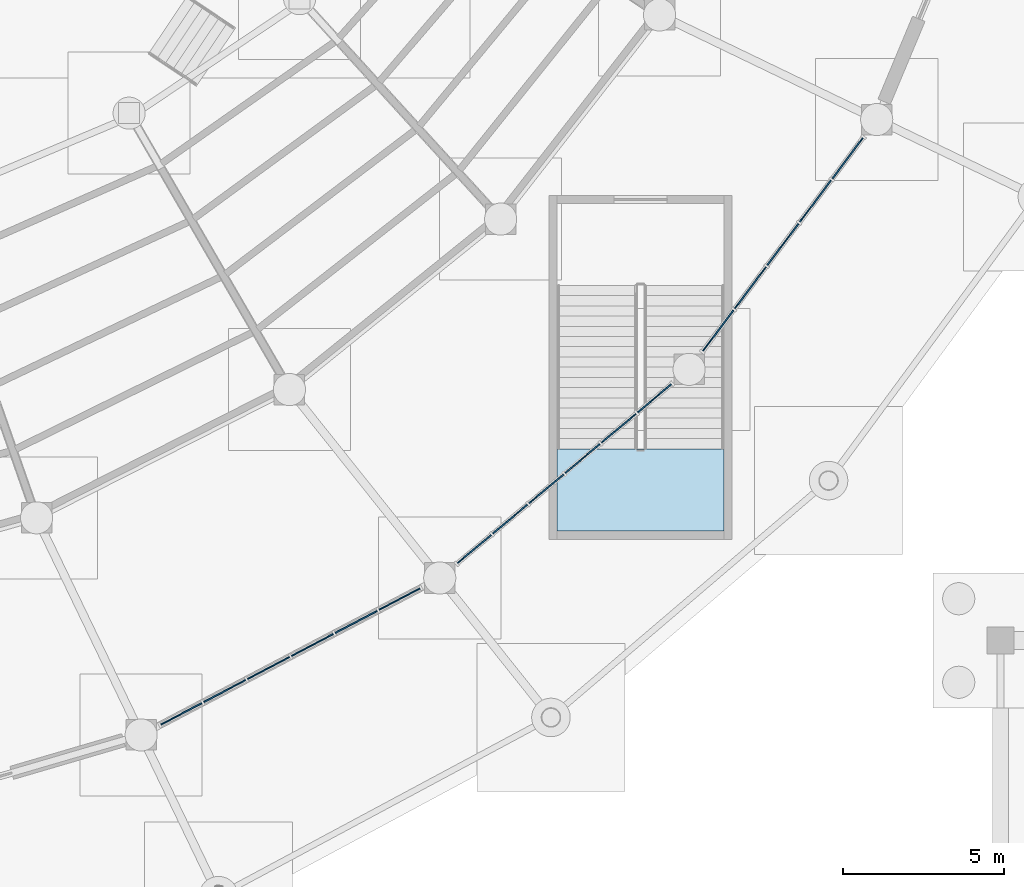
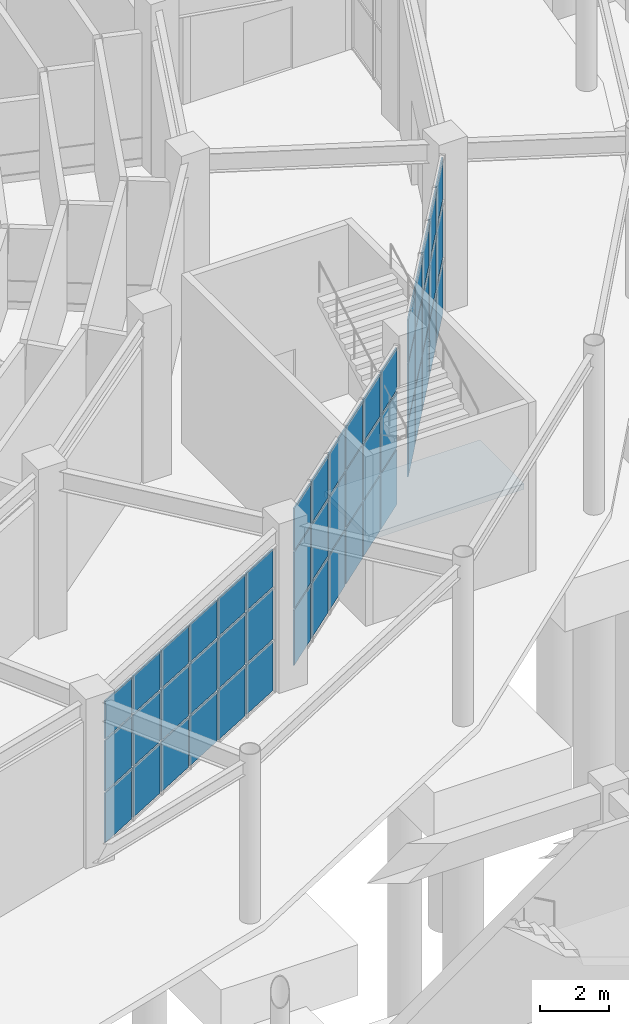
# One storey, part 68 of 121: 51 plates, 1 slab, 4 elements without a shape of their own.
"""IFC4 building model written with IfcOpenShell, lengths in metres."""

from ifc_helpers import new_model, si_unit, direction, frame, origin, origin_2d, place, context, subcontext, project, spatial, polyline, rectangle, outline, extrude, material, layer, layer_set, type_object, element, aggregate, save


model = new_model("IFC4")

# Units and contexts
model_context = context("Model", 3, precision=1e-05, world=origin(), true_north=direction((0.0, 1.0)))
body_context = subcontext(model_context, "Body", "Model", "MODEL_VIEW")
ifc_project = project(units=[si_unit("LENGTHUNIT", "METRE"), si_unit("AREAUNIT", "SQUARE_METRE"), si_unit("VOLUMEUNIT", "CUBIC_METRE"), si_unit("PLANEANGLEUNIT", "RADIAN"), si_unit("MASSUNIT", "GRAM", prefix="KILO")], contexts=[model_context])

# Site, building, storey
site_placement = place(None, origin())
site = spatial("IfcSite", under=ifc_project, at=site_placement, CompositionType="ELEMENT")
building_placement = place(site_placement, origin())
building = spatial("IfcBuilding", under=site, at=building_placement, Name="Cuetzalor Civic Arena", CompositionType="ELEMENT")
storey_placement = place(building_placement, origin())
storey = spatial("IfcBuildingStorey", under=building, at=storey_placement, Name="L00", CompositionType="ELEMENT", Elevation=0.0)

# Curtain wall, plates
ifc_material_1 = material(Name="Anodised dark bronze aluminium and low-E solar glass", Category="aluminium")
curtain_wall_type_1 = type_object("IfcCurtainWallType", Name="UnitisedCW_9250x5150", PredefinedType="USERDEFINED", material=ifc_material_1)
curtain_wall_1_placement = place(storey_placement, origin())
curtain_wall_1 = element("IfcCurtainWall", 1, at=curtain_wall_1_placement, inside=storey, type_object=curtain_wall_type_1, Name="Drum Ground Recessed Concourse Curtain Wall L00-017", ObjectType="UNITISED CURTAIN WALL", PredefinedType="USERDEFINED")
ifc_material_2 = material(Name="Acoustic laminated solar control glass", Category="glass")
ifc_layer_1 = layer(ifc_material_2, 0.0439453125)
ifc_layer_set_1 = layer_set([ifc_layer_1], Name="Acoustic laminated solar control glass")
plate_type = type_object("IfcPlateType", Name="AcousticTripleGlazedPanel_44", PredefinedType="CURTAIN_PANEL", material=ifc_layer_set_1)
plate_1_placement = place(storey_placement, frame((29.30126953125, -32.712158203125, 0.070068359375), z_axis=(0.0, 0.0, 1.0), x_axis=(-0.885118421147, -0.465365856662, 0.0)))
plate_1 = element("IfcPlate", 2, at=plate_1_placement, type_object=plate_type, Name="CW-04 panel 1.1", PredefinedType="CURTAIN_PANEL", context=body_context, shape_type="SweptSolid", body=[
    extrude(rectangle(XDim=1.4365234375, YDim=0.0439453125, at=origin_2d()), origin(), (0.0, 0.0, 1.0), 1.751953125),
])
plate_2_placement = place(storey_placement, frame((29.30126953125, -32.712158203125, 1.89208984375), z_axis=(0.0, 0.0, 1.0), x_axis=(-0.885118421147, -0.465365856662, 0.0)))
plate_2 = element("IfcPlate", 3, at=plate_2_placement, type_object=plate_type, Name="CW-04 panel 1.2", PredefinedType="CURTAIN_PANEL", context=body_context, shape_type="SweptSolid", body=[
    extrude(rectangle(XDim=1.4365234375, YDim=0.0439453125, at=origin_2d()), origin(), (0.0, 0.0, 1.0), 1.785888671875),
])
plate_3_placement = place(storey_placement, frame((29.30126953125, -32.712158203125, 3.748046875), z_axis=(0.0, 0.0, 1.0), x_axis=(-0.885118421147, -0.465365856662, 0.0)))
plate_3 = element("IfcPlate", 4, at=plate_3_placement, type_object=plate_type, Name="CW-04 panel 1.3", PredefinedType="CURTAIN_PANEL", context=body_context, shape_type="SweptSolid", body=[
    extrude(rectangle(XDim=1.4365234375, YDim=0.0439453125, at=origin_2d()), origin(), (0.0, 0.0, 1.0), 1.339111328125),
])
plate_4_placement = place(storey_placement, frame((27.952392578125, -33.42138671875, 0.070068359375), z_axis=(0.0, 0.0, 1.0), x_axis=(-0.885118421147, -0.465365856662, 0.0)))
plate_4 = element("IfcPlate", 5, at=plate_4_placement, type_object=plate_type, Name="CW-04 panel 2.1", PredefinedType="CURTAIN_PANEL", context=body_context, shape_type="SweptSolid", body=[
    extrude(rectangle(XDim=1.4716796875, YDim=0.0439453125, at=origin_2d()), origin(), (0.0, 0.0, 1.0), 1.751953125),
])
plate_5_placement = place(storey_placement, frame((27.952392578125, -33.42138671875, 1.89208984375), z_axis=(0.0, 0.0, 1.0), x_axis=(-0.885118421147, -0.465365856662, 0.0)))
plate_5 = element("IfcPlate", 6, at=plate_5_placement, type_object=plate_type, Name="CW-04 panel 2.2", PredefinedType="CURTAIN_PANEL", context=body_context, shape_type="SweptSolid", body=[
    extrude(rectangle(XDim=1.4716796875, YDim=0.0439453125, at=origin_2d()), origin(), (0.0, 0.0, 1.0), 1.785888671875),
])
plate_6_placement = place(storey_placement, frame((27.952392578125, -33.42138671875, 3.748046875), z_axis=(0.0, 0.0, 1.0), x_axis=(-0.885118421147, -0.465365856662, 0.0)))
plate_6 = element("IfcPlate", 7, at=plate_6_placement, type_object=plate_type, Name="CW-04 panel 2.3", PredefinedType="CURTAIN_PANEL", context=body_context, shape_type="SweptSolid", body=[
    extrude(rectangle(XDim=1.4716796875, YDim=0.0439453125, at=origin_2d()), origin(), (0.0, 0.0, 1.0), 1.339111328125),
])
plate_7_placement = place(storey_placement, frame((26.587890625, -34.138671875, 0.070068359375), z_axis=(0.0, 0.0, 1.0), x_axis=(-0.885118421147, -0.465365856662, 0.0)))
plate_7 = element("IfcPlate", 8, at=plate_7_placement, type_object=plate_type, Name="CW-04 panel 3.1", PredefinedType="CURTAIN_PANEL", context=body_context, shape_type="SweptSolid", body=[
    extrude(rectangle(XDim=1.4716796875, YDim=0.0439453125, at=origin_2d()), origin(), (0.0, 0.0, 1.0), 1.751953125),
])
plate_8_placement = place(storey_placement, frame((26.587890625, -34.138671875, 1.89208984375), z_axis=(0.0, 0.0, 1.0), x_axis=(-0.885118421147, -0.465365856662, 0.0)))
plate_8 = element("IfcPlate", 9, at=plate_8_placement, type_object=plate_type, Name="CW-04 panel 3.2", PredefinedType="CURTAIN_PANEL", context=body_context, shape_type="SweptSolid", body=[
    extrude(rectangle(XDim=1.4716796875, YDim=0.0439453125, at=origin_2d()), origin(), (0.0, 0.0, 1.0), 1.785888671875),
])
plate_9_placement = place(storey_placement, frame((26.587890625, -34.138671875, 3.748046875), z_axis=(0.0, 0.0, 1.0), x_axis=(-0.885118421147, -0.465365856662, 0.0)))
plate_9 = element("IfcPlate", 10, at=plate_9_placement, type_object=plate_type, Name="CW-04 panel 3.3", PredefinedType="CURTAIN_PANEL", context=body_context, shape_type="SweptSolid", body=[
    extrude(rectangle(XDim=1.4716796875, YDim=0.0439453125, at=origin_2d()), origin(), (0.0, 0.0, 1.0), 1.339111328125),
])
plate_10_placement = place(storey_placement, frame((25.223388671875, -34.856201171875, 0.070068359375), z_axis=(0.0, 0.0, 1.0), x_axis=(-0.885118421147, -0.465365856662, 0.0)))
plate_10 = element("IfcPlate", 11, at=plate_10_placement, type_object=plate_type, Name="CW-04 panel 4.1", PredefinedType="CURTAIN_PANEL", context=body_context, shape_type="SweptSolid", body=[
    extrude(rectangle(XDim=1.4716796875, YDim=0.0439453125, at=origin_2d()), origin(), (0.0, 0.0, 1.0), 1.751953125),
])
plate_11_placement = place(storey_placement, frame((25.223388671875, -34.856201171875, 1.89208984375), z_axis=(0.0, 0.0, 1.0), x_axis=(-0.885118421147, -0.465365856662, 0.0)))
plate_11 = element("IfcPlate", 12, at=plate_11_placement, type_object=plate_type, Name="CW-04 panel 4.2", PredefinedType="CURTAIN_PANEL", context=body_context, shape_type="SweptSolid", body=[
    extrude(rectangle(XDim=1.4716796875, YDim=0.0439453125, at=origin_2d()), origin(), (0.0, 0.0, 1.0), 1.785888671875),
])
plate_12_placement = place(storey_placement, frame((25.223388671875, -34.856201171875, 3.748046875), z_axis=(0.0, 0.0, 1.0), x_axis=(-0.885118421147, -0.465365856662, 0.0)))
plate_12 = element("IfcPlate", 13, at=plate_12_placement, type_object=plate_type, Name="CW-04 panel 4.3", PredefinedType="CURTAIN_PANEL", context=body_context, shape_type="SweptSolid", body=[
    extrude(rectangle(XDim=1.4716796875, YDim=0.0439453125, at=origin_2d()), origin(), (0.0, 0.0, 1.0), 1.339111328125),
])
plate_13_placement = place(storey_placement, frame((23.85888671875, -35.573486328125, 0.070068359375), z_axis=(0.0, 0.0, 1.0), x_axis=(-0.885118421147, -0.465365856662, 0.0)))
plate_13 = element("IfcPlate", 14, at=plate_13_placement, type_object=plate_type, Name="CW-04 panel 5.1", PredefinedType="CURTAIN_PANEL", context=body_context, shape_type="SweptSolid", body=[
    extrude(rectangle(XDim=1.4716796875, YDim=0.0439453125, at=origin_2d()), origin(), (0.0, 0.0, 1.0), 1.751953125),
])
plate_14_placement = place(storey_placement, frame((23.85888671875, -35.573486328125, 1.89208984375), z_axis=(0.0, 0.0, 1.0), x_axis=(-0.885118421147, -0.465365856662, 0.0)))
plate_14 = element("IfcPlate", 15, at=plate_14_placement, type_object=plate_type, Name="CW-04 panel 5.2", PredefinedType="CURTAIN_PANEL", context=body_context, shape_type="SweptSolid", body=[
    extrude(rectangle(XDim=1.4716796875, YDim=0.0439453125, at=origin_2d()), origin(), (0.0, 0.0, 1.0), 1.785888671875),
])
plate_15_placement = place(storey_placement, frame((23.85888671875, -35.573486328125, 3.748046875), z_axis=(0.0, 0.0, 1.0), x_axis=(-0.885118421147, -0.465365856662, 0.0)))
plate_15 = element("IfcPlate", 16, at=plate_15_placement, type_object=plate_type, Name="CW-04 panel 5.3", PredefinedType="CURTAIN_PANEL", context=body_context, shape_type="SweptSolid", body=[
    extrude(rectangle(XDim=1.4716796875, YDim=0.0439453125, at=origin_2d()), origin(), (0.0, 0.0, 1.0), 1.339111328125),
])
plate_16_placement = place(storey_placement, frame((22.510009765625, -36.28271484375, 0.070068359375), z_axis=(0.0, 0.0, 1.0), x_axis=(-0.885118421147, -0.465365856662, 0.0)))
plate_16 = element("IfcPlate", 17, at=plate_16_placement, type_object=plate_type, Name="CW-04 panel 6.1", PredefinedType="CURTAIN_PANEL", context=body_context, shape_type="SweptSolid", body=[
    extrude(rectangle(XDim=1.4365234375, YDim=0.0439453125, at=origin_2d()), origin(), (0.0, 0.0, 1.0), 1.751953125),
])
plate_17_placement = place(storey_placement, frame((22.510009765625, -36.28271484375, 1.89208984375), z_axis=(0.0, 0.0, 1.0), x_axis=(-0.885118421147, -0.465365856662, 0.0)))
plate_17 = element("IfcPlate", 18, at=plate_17_placement, type_object=plate_type, Name="CW-04 panel 6.2", PredefinedType="CURTAIN_PANEL", context=body_context, shape_type="SweptSolid", body=[
    extrude(rectangle(XDim=1.4365234375, YDim=0.0439453125, at=origin_2d()), origin(), (0.0, 0.0, 1.0), 1.785888671875),
])
plate_18_placement = place(storey_placement, frame((22.510009765625, -36.28271484375, 3.748046875), z_axis=(0.0, 0.0, 1.0), x_axis=(-0.885118421147, -0.465365856662, 0.0)))
plate_18 = element("IfcPlate", 19, at=plate_18_placement, type_object=plate_type, Name="CW-04 panel 6.3", PredefinedType="CURTAIN_PANEL", context=body_context, shape_type="SweptSolid", body=[
    extrude(rectangle(XDim=1.4365234375, YDim=0.0439453125, at=origin_2d()), origin(), (0.0, 0.0, 1.0), 1.339111328125),
])
aggregate(curtain_wall_1, [plate_1, plate_2, plate_3, plate_4, plate_5, plate_6, plate_7, plate_8, plate_9, plate_10, plate_11, plate_12, plate_13, plate_14, plate_15, plate_16, plate_17, plate_18])

ifc_material_3 = material(Name="Anodised dark bronze aluminium and low-E solar glass", Category="aluminium")
curtain_wall_type_2 = type_object("IfcCurtainWallType", Name="UnitisedCW_8800x5700", PredefinedType="USERDEFINED", material=ifc_material_3)
curtain_wall_2_placement = place(storey_placement, origin())
curtain_wall_2 = element("IfcCurtainWall", 20, at=curtain_wall_2_placement, inside=storey, type_object=curtain_wall_type_2, Name="Drum Ground Recessed Concourse Curtain Wall L00-018", ObjectType="UNITISED CURTAIN WALL", PredefinedType="USERDEFINED")
plate_19_placement = place(storey_placement, frame((37.233642578125, -26.46337890625, 0.06982421875), z_axis=(0.0, 0.0, 1.0), x_axis=(-0.766928030459, -0.641733119059, 0.0)))
plate_19 = element("IfcPlate", 21, at=plate_19_placement, type_object=plate_type, Name="CW-03 panel 1.1", PredefinedType="CURTAIN_PANEL", context=body_context, shape_type="SweptSolid", body=[
    extrude(rectangle(XDim=1.364013671875, YDim=0.0439453125, at=origin_2d()), origin(), (0.0, 0.0, 1.0), 1.947021484375),
])
plate_20_placement = place(storey_placement, frame((37.233642578125, -26.46337890625, 2.0869140625), z_axis=(0.0, 0.0, 1.0), x_axis=(-0.766928030459, -0.641733119059, 0.0)))
plate_20 = element("IfcPlate", 22, at=plate_20_placement, type_object=plate_type, Name="CW-03 panel 1.2", PredefinedType="CURTAIN_PANEL", context=body_context, shape_type="SweptSolid", body=[
    extrude(rectangle(XDim=1.364013671875, YDim=0.0439453125, at=origin_2d()), origin(), (0.0, 0.0, 1.0), 1.98193359375),
])
plate_21_placement = place(storey_placement, frame((37.233642578125, -26.46337890625, 4.13916015625), z_axis=(0.0, 0.0, 1.0), x_axis=(-0.766928030459, -0.641733119059, 0.0)))
plate_21 = element("IfcPlate", 23, at=plate_21_placement, type_object=plate_type, Name="CW-03 panel 1.3", PredefinedType="CURTAIN_PANEL", context=body_context, shape_type="SweptSolid", body=[
    extrude(rectangle(XDim=1.364013671875, YDim=0.0439453125, at=origin_2d()), origin(), (0.0, 0.0, 1.0), 1.490966796875),
])
plate_22_placement = place(storey_placement, frame((36.120361328125, -27.39501953125, 0.06982421875), z_axis=(0.0, 0.0, 1.0), x_axis=(-0.766928030459, -0.641733119059, 0.0)))
plate_22 = element("IfcPlate", 24, at=plate_22_placement, type_object=plate_type, Name="CW-03 panel 2.1", PredefinedType="CURTAIN_PANEL", context=body_context, shape_type="SweptSolid", body=[
    extrude(rectangle(XDim=1.39892578125, YDim=0.0439453125, at=origin_2d()), origin(), (0.0, 0.0, 1.0), 1.947021484375),
])
plate_23_placement = place(storey_placement, frame((36.120361328125, -27.39501953125, 2.0869140625), z_axis=(0.0, 0.0, 1.0), x_axis=(-0.766928030459, -0.641733119059, 0.0)))
plate_23 = element("IfcPlate", 25, at=plate_23_placement, type_object=plate_type, Name="CW-03 panel 2.2", PredefinedType="CURTAIN_PANEL", context=body_context, shape_type="SweptSolid", body=[
    extrude(rectangle(XDim=1.39892578125, YDim=0.0439453125, at=origin_2d()), origin(), (0.0, 0.0, 1.0), 1.98193359375),
])
plate_24_placement = place(storey_placement, frame((36.120361328125, -27.39501953125, 4.13916015625), z_axis=(0.0, 0.0, 1.0), x_axis=(-0.766928030459, -0.641733119059, 0.0)))
plate_24 = element("IfcPlate", 26, at=plate_24_placement, type_object=plate_type, Name="CW-03 panel 2.3", PredefinedType="CURTAIN_PANEL", context=body_context, shape_type="SweptSolid", body=[
    extrude(rectangle(XDim=1.39892578125, YDim=0.0439453125, at=origin_2d()), origin(), (0.0, 0.0, 1.0), 1.490966796875),
])
plate_25_placement = place(storey_placement, frame((34.99365234375, -28.337646484375, 0.06982421875), z_axis=(0.0, 0.0, 1.0), x_axis=(-0.766928030459, -0.641733119059, 0.0)))
plate_25 = element("IfcPlate", 27, at=plate_25_placement, type_object=plate_type, Name="CW-03 panel 3.1", PredefinedType="CURTAIN_PANEL", context=body_context, shape_type="SweptSolid", body=[
    extrude(rectangle(XDim=1.39892578125, YDim=0.0439453125, at=origin_2d()), origin(), (0.0, 0.0, 1.0), 1.947021484375),
])
plate_26_placement = place(storey_placement, frame((34.99365234375, -28.337646484375, 2.0869140625), z_axis=(0.0, 0.0, 1.0), x_axis=(-0.766928030459, -0.641733119059, 0.0)))
plate_26 = element("IfcPlate", 28, at=plate_26_placement, type_object=plate_type, Name="CW-03 panel 3.2", PredefinedType="CURTAIN_PANEL", context=body_context, shape_type="SweptSolid", body=[
    extrude(rectangle(XDim=1.39892578125, YDim=0.0439453125, at=origin_2d()), origin(), (0.0, 0.0, 1.0), 1.98193359375),
])
plate_27_placement = place(storey_placement, frame((34.99365234375, -28.337646484375, 4.13916015625), z_axis=(0.0, 0.0, 1.0), x_axis=(-0.766928030459, -0.641733119059, 0.0)))
plate_27 = element("IfcPlate", 29, at=plate_27_placement, type_object=plate_type, Name="CW-03 panel 3.3", PredefinedType="CURTAIN_PANEL", context=body_context, shape_type="SweptSolid", body=[
    extrude(rectangle(XDim=1.39892578125, YDim=0.0439453125, at=origin_2d()), origin(), (0.0, 0.0, 1.0), 1.490966796875),
])
plate_28_placement = place(storey_placement, frame((33.866943359375, -29.280517578125, 0.06982421875), z_axis=(0.0, 0.0, 1.0), x_axis=(-0.766928030459, -0.641733119059, 0.0)))
plate_28 = element("IfcPlate", 30, at=plate_28_placement, type_object=plate_type, Name="CW-03 panel 4.1", PredefinedType="CURTAIN_PANEL", context=body_context, shape_type="SweptSolid", body=[
    extrude(rectangle(XDim=1.39892578125, YDim=0.0439453125, at=origin_2d()), origin(), (0.0, 0.0, 1.0), 1.947021484375),
])
plate_29_placement = place(storey_placement, frame((33.866943359375, -29.280517578125, 2.0869140625), z_axis=(0.0, 0.0, 1.0), x_axis=(-0.766928030459, -0.641733119059, 0.0)))
plate_29 = element("IfcPlate", 31, at=plate_29_placement, type_object=plate_type, Name="CW-03 panel 4.2", PredefinedType="CURTAIN_PANEL", context=body_context, shape_type="SweptSolid", body=[
    extrude(rectangle(XDim=1.39892578125, YDim=0.0439453125, at=origin_2d()), origin(), (0.0, 0.0, 1.0), 1.98193359375),
])
plate_30_placement = place(storey_placement, frame((33.866943359375, -29.280517578125, 4.13916015625), z_axis=(0.0, 0.0, 1.0), x_axis=(-0.766928030459, -0.641733119059, 0.0)))
plate_30 = element("IfcPlate", 32, at=plate_30_placement, type_object=plate_type, Name="CW-03 panel 4.3", PredefinedType="CURTAIN_PANEL", context=body_context, shape_type="SweptSolid", body=[
    extrude(rectangle(XDim=1.39892578125, YDim=0.0439453125, at=origin_2d()), origin(), (0.0, 0.0, 1.0), 1.490966796875),
])
plate_31_placement = place(storey_placement, frame((32.740478515625, -30.22314453125, 0.06982421875), z_axis=(0.0, 0.0, 1.0), x_axis=(-0.766928030459, -0.641733119059, 0.0)))
plate_31 = element("IfcPlate", 33, at=plate_31_placement, type_object=plate_type, Name="CW-03 panel 5.1", PredefinedType="CURTAIN_PANEL", context=body_context, shape_type="SweptSolid", body=[
    extrude(rectangle(XDim=1.39892578125, YDim=0.0439453125, at=origin_2d()), origin(), (0.0, 0.0, 1.0), 1.947021484375),
])
plate_32_placement = place(storey_placement, frame((32.740478515625, -30.22314453125, 2.0869140625), z_axis=(0.0, 0.0, 1.0), x_axis=(-0.766928030459, -0.641733119059, 0.0)))
plate_32 = element("IfcPlate", 34, at=plate_32_placement, type_object=plate_type, Name="CW-03 panel 5.2", PredefinedType="CURTAIN_PANEL", context=body_context, shape_type="SweptSolid", body=[
    extrude(rectangle(XDim=1.39892578125, YDim=0.0439453125, at=origin_2d()), origin(), (0.0, 0.0, 1.0), 1.98193359375),
])
plate_33_placement = place(storey_placement, frame((32.740478515625, -30.22314453125, 4.13916015625), z_axis=(0.0, 0.0, 1.0), x_axis=(-0.766928030459, -0.641733119059, 0.0)))
plate_33 = element("IfcPlate", 35, at=plate_33_placement, type_object=plate_type, Name="CW-03 panel 5.3", PredefinedType="CURTAIN_PANEL", context=body_context, shape_type="SweptSolid", body=[
    extrude(rectangle(XDim=1.39892578125, YDim=0.0439453125, at=origin_2d()), origin(), (0.0, 0.0, 1.0), 1.490966796875),
])
plate_34_placement = place(storey_placement, frame((31.627197265625, -31.15478515625, 0.06982421875), z_axis=(0.0, 0.0, 1.0), x_axis=(-0.766928030459, -0.641733119059, 0.0)))
plate_34 = element("IfcPlate", 36, at=plate_34_placement, type_object=plate_type, Name="CW-03 panel 6.1", PredefinedType="CURTAIN_PANEL", context=body_context, shape_type="SweptSolid", body=[
    extrude(rectangle(XDim=1.364013671875, YDim=0.0439453125, at=origin_2d()), origin(), (0.0, 0.0, 1.0), 1.947021484375),
])
plate_35_placement = place(storey_placement, frame((31.627197265625, -31.15478515625, 2.0869140625), z_axis=(0.0, 0.0, 1.0), x_axis=(-0.766928030459, -0.641733119059, 0.0)))
plate_35 = element("IfcPlate", 37, at=plate_35_placement, type_object=plate_type, Name="CW-03 panel 6.2", PredefinedType="CURTAIN_PANEL", context=body_context, shape_type="SweptSolid", body=[
    extrude(rectangle(XDim=1.364013671875, YDim=0.0439453125, at=origin_2d()), origin(), (0.0, 0.0, 1.0), 1.98193359375),
])
plate_36_placement = place(storey_placement, frame((31.627197265625, -31.15478515625, 4.13916015625), z_axis=(0.0, 0.0, 1.0), x_axis=(-0.766928030459, -0.641733119059, 0.0)))
plate_36 = element("IfcPlate", 38, at=plate_36_placement, type_object=plate_type, Name="CW-03 panel 6.3", PredefinedType="CURTAIN_PANEL", context=body_context, shape_type="SweptSolid", body=[
    extrude(rectangle(XDim=1.364013671875, YDim=0.0439453125, at=origin_2d()), origin(), (0.0, 0.0, 1.0), 1.490966796875),
])
aggregate(curtain_wall_2, [plate_19, plate_20, plate_21, plate_22, plate_23, plate_24, plate_25, plate_26, plate_27, plate_28, plate_29, plate_30, plate_31, plate_32, plate_33, plate_34, plate_35, plate_36])

ifc_material_4 = material(Name="Anodised dark bronze aluminium and low-E solar glass", Category="aluminium")
curtain_wall_type_3 = type_object("IfcCurtainWallType", Name="UnitisedCW_8450x5700", PredefinedType="USERDEFINED", material=ifc_material_4)
curtain_wall_3_placement = place(storey_placement, origin())
curtain_wall_3 = element("IfcCurtainWall", 39, at=curtain_wall_3_placement, inside=storey, type_object=curtain_wall_type_3, Name="Drum Ground Recessed Concourse Curtain Wall L00-019", ObjectType="UNITISED CURTAIN WALL", PredefinedType="USERDEFINED")
plate_37_placement = place(storey_placement, frame((43.242431640625, -18.994384765625, 0.06982421875), z_axis=(0.0, 0.0, 1.0), x_axis=(-0.600491594925, -0.799631067696, 0.0)))
plate_37 = element("IfcPlate", 40, at=plate_37_placement, type_object=plate_type, Name="CW-02 panel 1.1", PredefinedType="CURTAIN_PANEL", context=body_context, shape_type="SweptSolid", body=[
    extrude(rectangle(XDim=1.58056640625, YDim=0.0439453125, at=origin_2d()), origin(), (0.0, 0.0, 1.0), 1.947021484375),
])
plate_38_placement = place(storey_placement, frame((43.242431640625, -18.994384765625, 2.0869140625), z_axis=(0.0, 0.0, 1.0), x_axis=(-0.600491594925, -0.799631067696, 0.0)))
plate_38 = element("IfcPlate", 41, at=plate_38_placement, type_object=plate_type, Name="CW-02 panel 1.2", PredefinedType="CURTAIN_PANEL", context=body_context, shape_type="SweptSolid", body=[
    extrude(rectangle(XDim=1.58056640625, YDim=0.0439453125, at=origin_2d()), origin(), (0.0, 0.0, 1.0), 1.98193359375),
])
plate_39_placement = place(storey_placement, frame((43.242431640625, -18.994384765625, 4.13916015625), z_axis=(0.0, 0.0, 1.0), x_axis=(-0.600491594925, -0.799631067696, 0.0)))
plate_39 = element("IfcPlate", 42, at=plate_39_placement, type_object=plate_type, Name="CW-02 panel 1.3", PredefinedType="CURTAIN_PANEL", context=body_context, shape_type="SweptSolid", body=[
    extrude(rectangle(XDim=1.58056640625, YDim=0.0439453125, at=origin_2d()), origin(), (0.0, 0.0, 1.0), 1.490966796875),
])
plate_40_placement = place(storey_placement, frame((42.24072265625, -20.328369140625, 0.06982421875), z_axis=(0.0, 0.0, 1.0), x_axis=(-0.600491594925, -0.799631067696, 0.0)))
plate_40 = element("IfcPlate", 43, at=plate_40_placement, type_object=plate_type, Name="CW-02 panel 2.1", PredefinedType="CURTAIN_PANEL", context=body_context, shape_type="SweptSolid", body=[
    extrude(rectangle(XDim=1.615478515625, YDim=0.0439453125, at=origin_2d()), origin(), (0.0, 0.0, 1.0), 1.947021484375),
])
plate_41_placement = place(storey_placement, frame((42.24072265625, -20.328369140625, 2.0869140625), z_axis=(0.0, 0.0, 1.0), x_axis=(-0.600491594925, -0.799631067696, 0.0)))
plate_41 = element("IfcPlate", 44, at=plate_41_placement, type_object=plate_type, Name="CW-02 panel 2.2", PredefinedType="CURTAIN_PANEL", context=body_context, shape_type="SweptSolid", body=[
    extrude(rectangle(XDim=1.615478515625, YDim=0.0439453125, at=origin_2d()), origin(), (0.0, 0.0, 1.0), 1.98193359375),
])
plate_42_placement = place(storey_placement, frame((42.24072265625, -20.328369140625, 4.13916015625), z_axis=(0.0, 0.0, 1.0), x_axis=(-0.600491594925, -0.799631067696, 0.0)))
plate_42 = element("IfcPlate", 45, at=plate_42_placement, type_object=plate_type, Name="CW-02 panel 2.3", PredefinedType="CURTAIN_PANEL", context=body_context, shape_type="SweptSolid", body=[
    extrude(rectangle(XDim=1.615478515625, YDim=0.0439453125, at=origin_2d()), origin(), (0.0, 0.0, 1.0), 1.490966796875),
])
plate_43_placement = place(storey_placement, frame((41.228515625, -21.67626953125, 0.06982421875), z_axis=(0.0, 0.0, 1.0), x_axis=(-0.600491594925, -0.799631067696, 0.0)))
plate_43 = element("IfcPlate", 46, at=plate_43_placement, type_object=plate_type, Name="CW-02 panel 3.1", PredefinedType="CURTAIN_PANEL", context=body_context, shape_type="SweptSolid", body=[
    extrude(rectangle(XDim=1.615478515625, YDim=0.0439453125, at=origin_2d()), origin(), (0.0, 0.0, 1.0), 1.947021484375),
])
plate_44_placement = place(storey_placement, frame((41.228515625, -21.67626953125, 2.0869140625), z_axis=(0.0, 0.0, 1.0), x_axis=(-0.600491594925, -0.799631067696, 0.0)))
plate_44 = element("IfcPlate", 47, at=plate_44_placement, type_object=plate_type, Name="CW-02 panel 3.2", PredefinedType="CURTAIN_PANEL", context=body_context, shape_type="SweptSolid", body=[
    extrude(rectangle(XDim=1.615478515625, YDim=0.0439453125, at=origin_2d()), origin(), (0.0, 0.0, 1.0), 1.98193359375),
])
plate_45_placement = place(storey_placement, frame((41.228515625, -21.67626953125, 4.13916015625), z_axis=(0.0, 0.0, 1.0), x_axis=(-0.600491594925, -0.799631067696, 0.0)))
plate_45 = element("IfcPlate", 48, at=plate_45_placement, type_object=plate_type, Name="CW-02 panel 3.3", PredefinedType="CURTAIN_PANEL", context=body_context, shape_type="SweptSolid", body=[
    extrude(rectangle(XDim=1.615478515625, YDim=0.0439453125, at=origin_2d()), origin(), (0.0, 0.0, 1.0), 1.490966796875),
])
plate_46_placement = place(storey_placement, frame((40.216552734375, -23.02392578125, 0.06982421875), z_axis=(0.0, 0.0, 1.0), x_axis=(-0.600491594925, -0.799631067696, 0.0)))
plate_46 = element("IfcPlate", 49, at=plate_46_placement, type_object=plate_type, Name="CW-02 panel 4.1", PredefinedType="CURTAIN_PANEL", context=body_context, shape_type="SweptSolid", body=[
    extrude(rectangle(XDim=1.615478515625, YDim=0.0439453125, at=origin_2d()), origin(), (0.0, 0.0, 1.0), 1.947021484375),
])
plate_47_placement = place(storey_placement, frame((40.216552734375, -23.02392578125, 2.0869140625), z_axis=(0.0, 0.0, 1.0), x_axis=(-0.600491594925, -0.799631067696, 0.0)))
plate_47 = element("IfcPlate", 50, at=plate_47_placement, type_object=plate_type, Name="CW-02 panel 4.2", PredefinedType="CURTAIN_PANEL", context=body_context, shape_type="SweptSolid", body=[
    extrude(rectangle(XDim=1.615478515625, YDim=0.0439453125, at=origin_2d()), origin(), (0.0, 0.0, 1.0), 1.98193359375),
])
plate_48_placement = place(storey_placement, frame((40.216552734375, -23.02392578125, 4.13916015625), z_axis=(0.0, 0.0, 1.0), x_axis=(-0.600491594925, -0.799631067696, 0.0)))
plate_48 = element("IfcPlate", 51, at=plate_48_placement, type_object=plate_type, Name="CW-02 panel 4.3", PredefinedType="CURTAIN_PANEL", context=body_context, shape_type="SweptSolid", body=[
    extrude(rectangle(XDim=1.615478515625, YDim=0.0439453125, at=origin_2d()), origin(), (0.0, 0.0, 1.0), 1.490966796875),
])
plate_49_placement = place(storey_placement, frame((39.21484375, -24.35791015625, 0.06982421875), z_axis=(0.0, 0.0, 1.0), x_axis=(-0.600491594925, -0.799631067696, 0.0)))
plate_49 = element("IfcPlate", 52, at=plate_49_placement, type_object=plate_type, Name="CW-02 panel 5.1", PredefinedType="CURTAIN_PANEL", context=body_context, shape_type="SweptSolid", body=[
    extrude(rectangle(XDim=1.58056640625, YDim=0.0439453125, at=origin_2d()), origin(), (0.0, 0.0, 1.0), 1.947021484375),
])
plate_50_placement = place(storey_placement, frame((39.21484375, -24.35791015625, 2.0869140625), z_axis=(0.0, 0.0, 1.0), x_axis=(-0.600491594925, -0.799631067696, 0.0)))
plate_50 = element("IfcPlate", 53, at=plate_50_placement, type_object=plate_type, Name="CW-02 panel 5.2", PredefinedType="CURTAIN_PANEL", context=body_context, shape_type="SweptSolid", body=[
    extrude(rectangle(XDim=1.58056640625, YDim=0.0439453125, at=origin_2d()), origin(), (0.0, 0.0, 1.0), 1.98193359375),
])
plate_51_placement = place(storey_placement, frame((39.21484375, -24.35791015625, 4.13916015625), z_axis=(0.0, 0.0, 1.0), x_axis=(-0.600491594925, -0.799631067696, 0.0)))
plate_51 = element("IfcPlate", 54, at=plate_51_placement, type_object=plate_type, Name="CW-02 panel 5.3", PredefinedType="CURTAIN_PANEL", context=body_context, shape_type="SweptSolid", body=[
    extrude(rectangle(XDim=1.58056640625, YDim=0.0439453125, at=origin_2d()), origin(), (0.0, 0.0, 1.0), 1.490966796875),
])
aggregate(curtain_wall_3, [plate_37, plate_38, plate_39, plate_40, plate_41, plate_42, plate_43, plate_44, plate_45, plate_46, plate_47, plate_48, plate_49, plate_50, plate_51])

# Stair, slab
ifc_material_5 = material(Name="Precast concrete C40/50", Category="concrete")
stair_type = type_object("IfcStairType", Name="EnclosedExitStair_H600", PredefinedType="HALF_TURN_STAIR", material=ifc_material_5)
stair_placement = place(storey_placement, origin())
stair = element("IfcStair", 55, at=stair_placement, inside=storey, type_object=stair_type, Name="L00 Enclosed Exit Stair ST-08", PredefinedType="HALF_TURN_STAIR")
ifc_material_6 = material(Name="Concrete C40/50", Category="concrete")
ifc_layer_2 = layer(ifc_material_6, 0.199951171875)
ifc_layer_set_2 = layer_set([ifc_layer_2], Name="Concrete C40/50")
slab_type = type_object("IfcSlabType", Name="StairHalfLandingSlab_200", PredefinedType="LANDING", material=ifc_layer_set_2)
slab_placement = place(storey_placement, frame((0.0, 0.0, 2.800048828125)))
slab = element("IfcSlab", 56, at=slab_placement, type_object=slab_type, Name="ST-08 landing 1", PredefinedType="LANDING", context=body_context, shape_type="SweptSolid", body=[
    extrude(outline(polyline([(34.199951171875, -28.0380859375), (34.199951171875, -30.60009765625), (39.39990234375, -30.60009765625), (39.39990234375, -28.0380859375), (34.199951171875, -28.0380859375)])), origin(), (0.0, 0.0, 1.0), 0.199951171875),
])
aggregate(stair, [slab])

save(model, "model.ifc")
